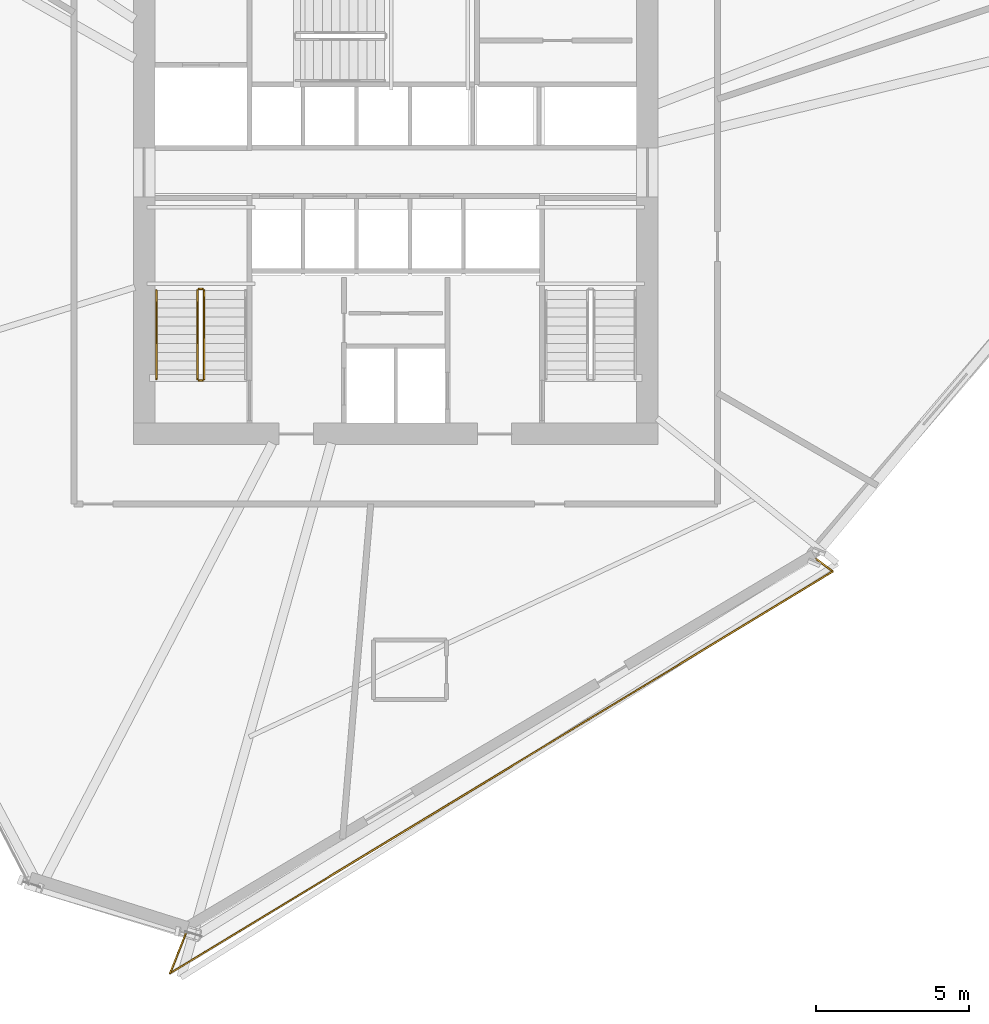
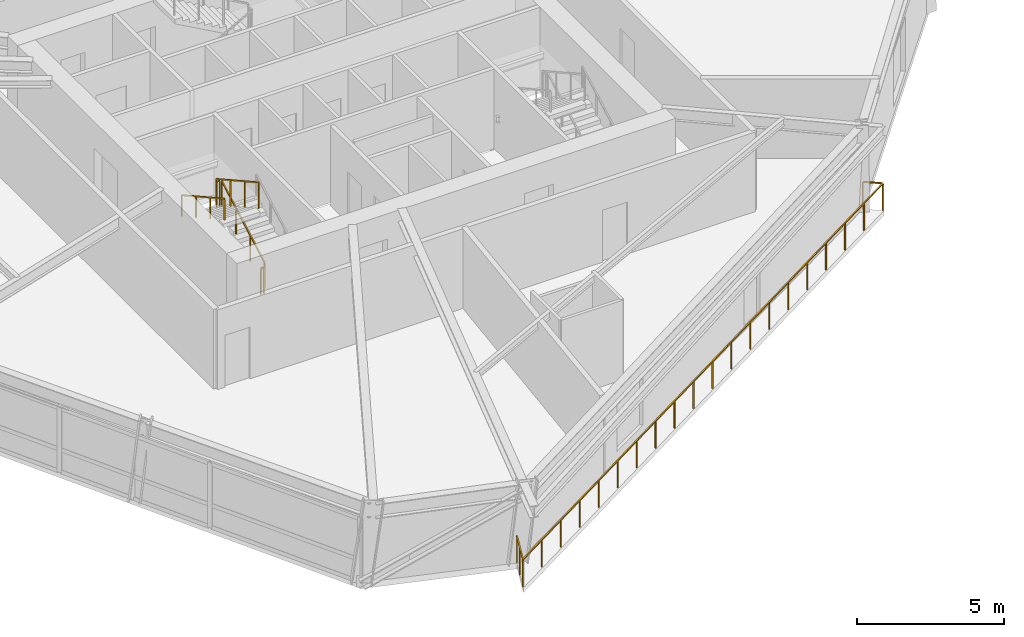
# One storey, part 16 of 19: 6 railings.
"""IFC4 building model written with IfcOpenShell, lengths in metres."""

import ifcopenshell
import ifcopenshell.guid

model = None  # the IFC model being written
_history = None  # IfcOwnerHistory: only IFC2X3 demands one
_inside = {}  # id of a spatial element -> (the spatial element, [elements in it])
_under = {}  # id of a project, library or spatial element -> (it, [spatial elements below it])
_declared = {}  # id of a project -> (the project, [libraries it declares])
_typed = {}  # id of a type object -> (the type object, [elements of that type])
_made_of = {}  # id of a material, layer set ... -> (it, [elements and type objects made of it])


def new_model(schema):
    """Start an empty IFC model of exactly this schema.

    Asked for "IFC4X3", IfcOpenShell would pick the latest addendum, in which some entities
    have other attributes; the version numbers below select the first issue.
    IFC2X3 requires an IfcOwnerHistory on every rooted entity: one is made here for all.
    """
    global model, _history
    if schema == "IFC4X3":
        model = ifcopenshell.file(schema_version=(4, 3, 0, 0))
    else:
        model = ifcopenshell.file(schema=schema)
    _inside.clear()
    _under.clear()
    _declared.clear()
    _typed.clear()
    _made_of.clear()
    _history = None
    if model.schema == "IFC2X3":
        org = make("IfcOrganization", Name="unknown")
        user = make(
            "IfcPersonAndOrganization",
            ThePerson=make("IfcPerson", FamilyName="unknown"),
            TheOrganization=org,
        )
        app = make(
            "IfcApplication",
            ApplicationDeveloper=org,
            Version="unknown",
            ApplicationFullName="unknown",
            ApplicationIdentifier="unknown",
        )
        _history = make(
            "IfcOwnerHistory",
            OwningUser=user,
            OwningApplication=app,
            ChangeAction="ADDED",
            CreationDate=0,
        )
    return model


def make(cls, **values):
    """One entity of the class cls with the attributes given. An attribute that is None is left unset."""
    return model.create_entity(
        cls, **{name: value for name, value in values.items() if value is not None}
    )


def rooted(cls, **values):
    """An entity with a GlobalId (a new one), such as an element, a storey or a relation."""
    return make(cls, GlobalId=ifcopenshell.guid.new(), OwnerHistory=_history, **values)


def si_unit(unit_type, name, prefix=None):
    """IfcSIUnit, for example si_unit("LENGTHUNIT", "METRE", prefix="MILLI")."""
    return make("IfcSIUnit", UnitType=unit_type, Prefix=prefix, Name=name)


def assignment(units):
    """IfcUnitAssignment: the units of a project."""
    return None if units is None else make("IfcUnitAssignment", Units=units)


def point(xyz):
    """IfcCartesianPoint."""
    return None if xyz is None else make("IfcCartesianPoint", Coordinates=xyz)


def direction(xyz):
    """IfcDirection."""
    return None if xyz is None else make("IfcDirection", DirectionRatios=xyz)


def frame(location, z_axis=None, x_axis=None):
    """IfcAxis2Placement3D, a coordinate frame: its origin and axes. An axis left out is left unset."""
    return make(
        "IfcAxis2Placement3D",
        Location=point(location),
        Axis=direction(z_axis),
        RefDirection=direction(x_axis),
    )


def frame_2d(location, x_axis=None):
    """IfcAxis2Placement2D, a coordinate frame in the plane: its origin and x axis."""
    return make(
        "IfcAxis2Placement2D", Location=point(location), RefDirection=direction(x_axis)
    )


def origin():
    """The frame at (0, 0, 0) with its axes left unset."""
    return frame((0.0, 0.0, 0.0))


def origin_2d():
    """The frame at (0, 0) in the plane with its x axis left unset."""
    return frame_2d((0.0, 0.0))


def place(relative_to, where):
    """IfcLocalPlacement: puts the frame where relative to a parent placement (None: the world)."""
    return make(
        "IfcLocalPlacement", PlacementRelTo=relative_to, RelativePlacement=where
    )


def context(
    kind, dimensions, precision=None, world=None, true_north=None, identifier=None
):
    """IfcGeometricRepresentationContext, for example the 3D "Model" context."""
    return make(
        "IfcGeometricRepresentationContext",
        ContextIdentifier=identifier,
        ContextType=kind,
        CoordinateSpaceDimension=dimensions,
        Precision=precision,
        WorldCoordinateSystem=world,
        TrueNorth=true_north,
    )


def subcontext(parent, identifier, kind, view, scale=None):
    """IfcGeometricRepresentationSubContext, for example "Body" below "Model"."""
    return make(
        "IfcGeometricRepresentationSubContext",
        ContextIdentifier=identifier,
        ContextType=kind,
        ParentContext=parent,
        TargetScale=scale,
        TargetView=view,
    )


def project(units=None, contexts=None):
    """IfcProject with its units and contexts."""
    return rooted(
        "IfcProject",
        Name="project",
        RepresentationContexts=contexts,
        UnitsInContext=assignment(units),
    )


def spatial(cls, under=None, at=None, **own):
    """A site, building, storey or space (cls), placed at a placement, below another one or the project."""
    s = rooted(cls, ObjectPlacement=at, **own)
    if under is not None:
        _under.setdefault(under.id(), (under, []))[1].append(s)
    return s


def profile(cls, at=None, kind="AREA", **sizes):
    """A parametric profile (cls). Its sizes go by their IFC names, for example OverallWidth=200.0."""
    return make(cls, ProfileType=kind, Position=at, **sizes)


def rectangle(**sizes):
    """IfcRectangleProfileDef."""
    return profile("IfcRectangleProfileDef", **sizes)


def extrude(swept, where, along, depth):
    """IfcExtrudedAreaSolid: the profile swept, set in the frame where, extruded along a direction by depth."""
    return make(
        "IfcExtrudedAreaSolid",
        SweptArea=swept,
        Position=where,
        ExtrudedDirection=direction(along),
        Depth=depth,
    )


def shape(context_of_items, identifier, shape_type, items):
    """IfcShapeRepresentation: the items that make up one representation, for example the "Body"."""
    return make(
        "IfcShapeRepresentation",
        ContextOfItems=context_of_items,
        RepresentationIdentifier=identifier,
        RepresentationType=shape_type,
        Items=items,
    )


def material(Name=None, Category=None):
    """IfcMaterial."""
    return make("IfcMaterial", Name=Name, Category=Category)


def made_of(thing, what):
    """Note that an element or type object is made of a material, layer set ...; save() writes the relation."""
    if what is not None:
        _made_of.setdefault(what.id(), (what, []))[1].append(thing)
    return thing


def type_object(cls, material=None, **own):
    """A type object (cls), such as IfcWallType, which elements share."""
    return made_of(rooted(cls, **own), material)


def element(
    cls,
    number,
    at=None,
    inside=None,
    cuts=None,
    type_object=None,
    material=None,
    context=None,
    identifier="Body",
    shape_type=None,
    held_by="IfcProductDefinitionShape",
    body=None,
    shapes=None,
    **own,
):
    """One element of the class cls, such as IfcWall. Its Tag is "e" and its number.

    at: its placement. inside: the storey or other place that contains it. cuts: it is an
    opening in that element (IfcRelVoidsElement). A single representation is given by context,
    identifier, shape_type and body (its items); several are given by shapes. held_by: the class
    of the entity that holds the representations. save() writes the other relations.
    """
    e = rooted(cls, Tag="e%d" % number, ObjectPlacement=at, **own)
    if body is not None:
        shapes = [shape(context, identifier, shape_type, body)]
    if shapes is not None:
        e.Representation = make(held_by, Representations=shapes)
    if inside is not None:
        _inside.setdefault(inside.id(), (inside, []))[1].append(e)
    if cuts is not None:
        rooted(
            "IfcRelVoidsElement", RelatingBuildingElement=cuts, RelatedOpeningElement=e
        )
    if type_object is not None:
        _typed.setdefault(type_object.id(), (type_object, []))[1].append(e)
    return made_of(e, material)


def aggregate(whole, parts):
    """IfcRelAggregates: a whole, such as a stair, and the parts it consists of."""
    return rooted("IfcRelAggregates", RelatingObject=whole, RelatedObjects=parts)


def save(model, path):
    """Write the relations noted so far, then the file.

    IfcRelAggregates (storeys below a building ...), IfcRelContainedInSpatialStructure (elements
    in a storey), IfcRelDefinesByType, IfcRelAssociatesMaterial and IfcRelDeclares: one each for
    every whole, place, type object, material and project.
    """
    for whole, parts in _under.values():
        aggregate(whole, parts)
    for where, things in _inside.values():
        rooted(
            "IfcRelContainedInSpatialStructure",
            RelatedElements=things,
            RelatingStructure=where,
        )
    for kind, things in _typed.values():
        rooted("IfcRelDefinesByType", RelatedObjects=things, RelatingType=kind)
    for what, things in _made_of.values():
        rooted("IfcRelAssociatesMaterial", RelatedObjects=things, RelatingMaterial=what)
    for by, libraries in _declared.values():
        rooted("IfcRelDeclares", RelatingContext=by, RelatedDefinitions=libraries)
    model.write(path)


model = new_model("IFC4")

# Units and contexts
model_context = context("Model", 3, precision=1e-05, world=origin(), true_north=direction((0.0, 1.0)))
body_context = subcontext(model_context, "Body", "Model", "MODEL_VIEW")
ifc_project = project(units=[si_unit("LENGTHUNIT", "METRE"), si_unit("AREAUNIT", "SQUARE_METRE"), si_unit("VOLUMEUNIT", "CUBIC_METRE"), si_unit("PLANEANGLEUNIT", "RADIAN"), si_unit("MASSUNIT", "GRAM", prefix="KILO")], contexts=[model_context])

# Site, building, storey
site_placement = place(None, origin())
site = spatial("IfcSite", under=ifc_project, at=site_placement, CompositionType="ELEMENT")
building_placement = place(site_placement, origin())
building = spatial("IfcBuilding", under=site, at=building_placement, Name="Olszyna Solenne Hotel", CompositionType="ELEMENT")
storey_placement = place(building_placement, frame((0.0, 0.0, 102.14990234375)))
storey = spatial("IfcBuildingStorey", under=building, at=storey_placement, Name="L26", CompositionType="ELEMENT", Elevation=102.14990234375)

# Railings
ifc_material_1 = material(Name="Anodised bronze aluminium", Category="aluminium")
railing_type_1 = type_object("IfcRailingType", Name="GR-110", PredefinedType="BALUSTRADE", material=ifc_material_1)
railing_1_placement = place(storey_placement, frame((31.126220703125, 2.78515625, 0.0)))
element("IfcRailing", 1, at=railing_1_placement, inside=storey, type_object=railing_type_1, Name="Loggia balcony balustrade guard GR-L26-LG3", PredefinedType="BALUSTRADE", context=body_context, shape_type="SweptSolid", body=[
    extrude(rectangle(XDim=0.048095703125, YDim=0.048095703125, at=origin_2d()), frame((0.0, 0.0, 1.1259765625), z_axis=(-0.368807758659, -0.929505695062, 0.0), x_axis=(0.929505695062, -0.368807758659, 0.0)), (0.0, 0.0, 1.0), 1.418701171875),
    extrude(rectangle(XDim=0.048095703125, YDim=0.048095703125, at=origin_2d()), frame((-0.523193359375, -1.318603515625, 1.1259765625), z_axis=(0.855033190671, 0.51857327626, 0.0), x_axis=(-0.51857327626, 0.855033190671, 0.0)), (0.0, 0.0, 1.0), 25.401611328125),
    extrude(rectangle(XDim=0.048095703125, YDim=0.048095703125, at=origin_2d()), frame((21.196044921875, 11.85400390625, 1.1259765625), z_axis=(-0.796203124244, 0.60502940833, 0.0), x_axis=(-0.60502940833, -0.796203124244, 0.0)), (0.0, 0.0, 1.0), 0.689697265625),
    extrude(rectangle(XDim=0.0419921875, YDim=0.0419921875, at=origin_2d()), origin(), (0.0, 0.0, 1.0), 1.101806640625),
    extrude(rectangle(XDim=0.0419921875, YDim=0.0419921875, at=origin_2d()), frame((-0.26171875, -0.6591796875, 0.0)), (0.0, 0.0, 1.0), 1.101806640625),
    extrude(rectangle(XDim=0.0419921875, YDim=0.0419921875, at=origin_2d()), frame((-0.523193359375, -1.318603515625, 0.0)), (0.0, 0.0, 1.0), 1.101806640625),
    extrude(rectangle(XDim=0.0419921875, YDim=0.0419921875, at=origin_2d()), frame((0.619873046875, -0.625244140625, 0.0)), (0.0, 0.0, 1.0), 1.101806640625),
    extrude(rectangle(XDim=0.0419921875, YDim=0.0419921875, at=origin_2d()), frame((1.762939453125, 0.06787109375, 0.0)), (0.0, 0.0, 1.0), 1.101806640625),
    extrude(rectangle(XDim=0.0419921875, YDim=0.0419921875, at=origin_2d()), frame((2.90625, 0.76123046875, 0.0)), (0.0, 0.0, 1.0), 1.101806640625),
    extrude(rectangle(XDim=0.0419921875, YDim=0.0419921875, at=origin_2d()), frame((4.04931640625, 1.45458984375, 0.0)), (0.0, 0.0, 1.0), 1.101806640625),
    extrude(rectangle(XDim=0.0419921875, YDim=0.0419921875, at=origin_2d()), frame((5.1923828125, 2.14794921875, 0.0)), (0.0, 0.0, 1.0), 1.101806640625),
    extrude(rectangle(XDim=0.0419921875, YDim=0.0419921875, at=origin_2d()), frame((6.33544921875, 2.841064453125, 0.0)), (0.0, 0.0, 1.0), 1.101806640625),
    extrude(rectangle(XDim=0.0419921875, YDim=0.0419921875, at=origin_2d()), frame((7.478515625, 3.534423828125, 0.0)), (0.0, 0.0, 1.0), 1.101806640625),
    extrude(rectangle(XDim=0.0419921875, YDim=0.0419921875, at=origin_2d()), frame((8.621826171875, 4.227783203125, 0.0)), (0.0, 0.0, 1.0), 1.101806640625),
    extrude(rectangle(XDim=0.0419921875, YDim=0.0419921875, at=origin_2d()), frame((9.764892578125, 4.921142578125, 0.0)), (0.0, 0.0, 1.0), 1.101806640625),
    extrude(rectangle(XDim=0.0419921875, YDim=0.0419921875, at=origin_2d()), frame((10.907958984375, 5.6142578125, 0.0)), (0.0, 0.0, 1.0), 1.101806640625),
    extrude(rectangle(XDim=0.0419921875, YDim=0.0419921875, at=origin_2d()), frame((12.051025390625, 6.3076171875, 0.0)), (0.0, 0.0, 1.0), 1.101806640625),
    extrude(rectangle(XDim=0.0419921875, YDim=0.0419921875, at=origin_2d()), frame((13.1943359375, 7.0009765625, 0.0)), (0.0, 0.0, 1.0), 1.101806640625),
    extrude(rectangle(XDim=0.0419921875, YDim=0.0419921875, at=origin_2d()), frame((14.33740234375, 7.6943359375, 0.0)), (0.0, 0.0, 1.0), 1.101806640625),
    extrude(rectangle(XDim=0.0419921875, YDim=0.0419921875, at=origin_2d()), frame((15.48046875, 8.387451171875, 0.0)), (0.0, 0.0, 1.0), 1.101806640625),
    extrude(rectangle(XDim=0.0419921875, YDim=0.0419921875, at=origin_2d()), frame((16.62353515625, 9.080810546875, 0.0)), (0.0, 0.0, 1.0), 1.101806640625),
    extrude(rectangle(XDim=0.0419921875, YDim=0.0419921875, at=origin_2d()), frame((17.7666015625, 9.774169921875, 0.0)), (0.0, 0.0, 1.0), 1.101806640625),
    extrude(rectangle(XDim=0.0419921875, YDim=0.0419921875, at=origin_2d()), frame((18.909912109375, 10.467529296875, 0.0)), (0.0, 0.0, 1.0), 1.101806640625),
    extrude(rectangle(XDim=0.0419921875, YDim=0.0419921875, at=origin_2d()), frame((20.052978515625, 11.16064453125, 0.0)), (0.0, 0.0, 1.0), 1.101806640625),
    extrude(rectangle(XDim=0.0419921875, YDim=0.0419921875, at=origin_2d()), frame((21.196044921875, 11.85400390625, 0.0)), (0.0, 0.0, 1.0), 1.101806640625),
    extrude(rectangle(XDim=0.0419921875, YDim=0.0419921875, at=origin_2d()), frame((20.64697265625, 12.271240234375, 0.0)), (0.0, 0.0, 1.0), 1.101806640625),
])
railing_2_placement = place(storey_placement, frame((31.719970703125, 20.949951171875, 0.161376953125)))
element("IfcRailing", 2, at=railing_2_placement, inside=storey, type_object=railing_type_1, Name="L26 ST1 stair guard 1", PredefinedType="BALUSTRADE", context=body_context, shape_type="SweptSolid", body=[
    extrude(rectangle(XDim=0.048095703125, YDim=0.048095703125, at=origin_2d()), frame((0.0, 0.0, 1.076171875), z_axis=(0.0, 0.873827439584, 0.48623616261), x_axis=(-1.0, 0.0, 0.0)), (0.0, 0.0, 1.0), 3.31884765625),
    extrude(rectangle(XDim=0.0419921875, YDim=0.0419921875, at=origin_2d()), origin(), (0.0, 0.0, 1.0), 1.052001953125),
    extrude(rectangle(XDim=0.0419921875, YDim=0.0419921875, at=origin_2d()), frame((0.0, 0.966796875, 0.537841796875)), (0.0, 0.0, 1.0), 1.052001953125),
    extrude(rectangle(XDim=0.0419921875, YDim=0.0419921875, at=origin_2d()), frame((0.0, 1.933349609375, 1.075927734375)), (0.0, 0.0, 1.0), 1.052001953125),
    extrude(rectangle(XDim=0.0419921875, YDim=0.0419921875, at=origin_2d()), frame((0.0, 2.900146484375, 1.61376953125)), (0.0, 0.0, 1.0), 1.052001953125),
])
railing_3_placement = place(storey_placement, frame((31.669921875, 23.89990234375, 1.775146484375)))
element("IfcRailing", 3, at=railing_3_placement, inside=storey, type_object=railing_type_1, Name="L26 ST1 stair guard 2", PredefinedType="BALUSTRADE", context=body_context, shape_type="SweptSolid", body=[
    extrude(rectangle(XDim=0.048095703125, YDim=0.048095703125, at=origin_2d()), frame((0.0, 0.0, 1.076171875), z_axis=(-1.0, 0.0, 0.0), x_axis=(0.0, -1.0, 0.0)), (0.0, 0.0, 1.0), 0.119873046875),
    extrude(rectangle(XDim=0.0419921875, YDim=0.0419921875, at=origin_2d()), origin(), (0.0, 0.0, 1.0), 1.052001953125),
    extrude(rectangle(XDim=0.0419921875, YDim=0.0419921875, at=origin_2d()), frame((-0.119873046875, 0.0, 0.0)), (0.0, 0.0, 1.0), 1.052001953125),
])
railing_4_placement = place(storey_placement, frame((31.5, 23.85009765625, 1.9365234375)))
element("IfcRailing", 4, at=railing_4_placement, inside=storey, type_object=railing_type_1, Name="L26 ST1 stair guard 3", PredefinedType="BALUSTRADE", context=body_context, shape_type="SweptSolid", body=[
    extrude(rectangle(XDim=0.048095703125, YDim=0.048095703125, at=origin_2d()), frame((0.0, 0.0, 1.076171875), z_axis=(0.0, -0.873858693841, 0.486179990537), x_axis=(1.0, 0.0, 0.0)), (0.0, 0.0, 1.0), 3.31884765625),
    extrude(rectangle(XDim=0.0419921875, YDim=0.0419921875, at=origin_2d()), origin(), (0.0, 0.0, 1.0), 1.052001953125),
    extrude(rectangle(XDim=0.0419921875, YDim=0.0419921875, at=origin_2d()), frame((0.0, -0.966796875, 0.537841796875)), (0.0, 0.0, 1.0), 1.052001953125),
    extrude(rectangle(XDim=0.0419921875, YDim=0.0419921875, at=origin_2d()), frame((0.0, -1.933349609375, 1.07568359375)), (0.0, 0.0, 1.0), 1.052001953125),
    extrude(rectangle(XDim=0.0419921875, YDim=0.0419921875, at=origin_2d()), frame((0.0, -2.900146484375, 1.613525390625)), (0.0, 0.0, 1.0), 1.052001953125),
])
railing_5_placement = place(storey_placement, frame((31.669921875, 20.89990234375, 0.0)))
element("IfcRailing", 5, at=railing_5_placement, inside=storey, type_object=railing_type_1, Name="L26 ST1 stair guard 4", PredefinedType="BALUSTRADE", context=body_context, shape_type="SweptSolid", body=[
    extrude(rectangle(XDim=0.048095703125, YDim=0.048095703125, at=origin_2d()), frame((0.0, 0.0, 1.076171875), z_axis=(-1.0, 0.0, 0.0), x_axis=(0.0, -1.0, 0.0)), (0.0, 0.0, 1.0), 0.119873046875),
    extrude(rectangle(XDim=0.0419921875, YDim=0.0419921875, at=origin_2d()), origin(), (0.0, 0.0, 1.0), 1.052001953125),
    extrude(rectangle(XDim=0.0419921875, YDim=0.0419921875, at=origin_2d()), frame((-0.119873046875, 0.0, 0.0)), (0.0, 0.0, 1.0), 1.052001953125),
])
ifc_material_2 = material(Name="Steel S355J2", Category="steel")
railing_type_2 = type_object("IfcRailingType", Name="HR-090", PredefinedType="HANDRAIL", material=ifc_material_2)
railing_6_placement = place(storey_placement, frame((30.14990234375, 23.85009765625, 1.9365234375)))
element("IfcRailing", 6, at=railing_6_placement, inside=storey, type_object=railing_type_2, Name="L26 ST1 stair handrail 2", PredefinedType="HANDRAIL", context=body_context, shape_type="SweptSolid", body=[
    extrude(rectangle(XDim=0.048095703125, YDim=0.048095703125, at=origin_2d()), frame((0.0, 0.0, 0.8759765625), z_axis=(0.0, -0.873858693841, 0.486179990537), x_axis=(1.0, 0.0, 0.0)), (0.0, 0.0, 1.0), 3.31884765625),
    extrude(rectangle(XDim=0.0419921875, YDim=0.0419921875, at=origin_2d()), origin(), (0.0, 0.0, 1.0), 0.851806640625),
    extrude(rectangle(XDim=0.0419921875, YDim=0.0419921875, at=origin_2d()), frame((0.0, -0.966796875, 0.537841796875)), (0.0, 0.0, 1.0), 0.851806640625),
    extrude(rectangle(XDim=0.0419921875, YDim=0.0419921875, at=origin_2d()), frame((0.0, -1.933349609375, 1.07568359375)), (0.0, 0.0, 1.0), 0.851806640625),
    extrude(rectangle(XDim=0.0419921875, YDim=0.0419921875, at=origin_2d()), frame((0.0, -2.900146484375, 1.613525390625)), (0.0, 0.0, 1.0), 0.851806640625),
])

save(model, "model.ifc")
